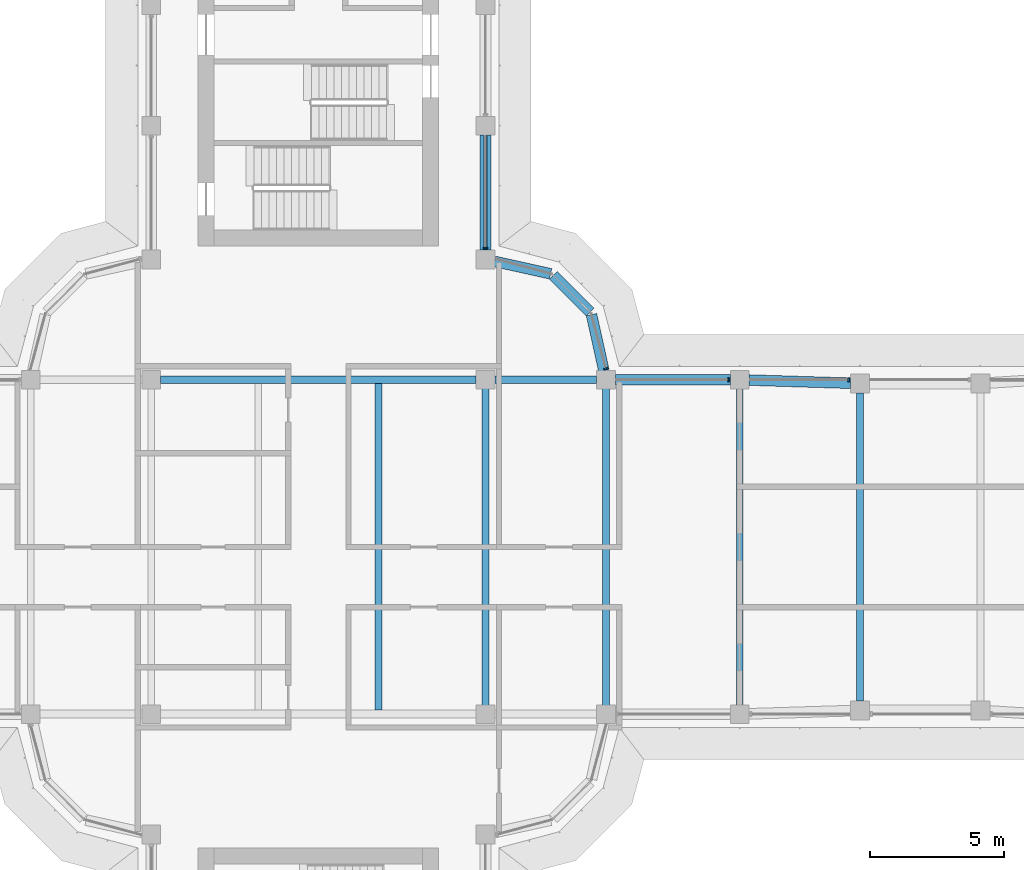
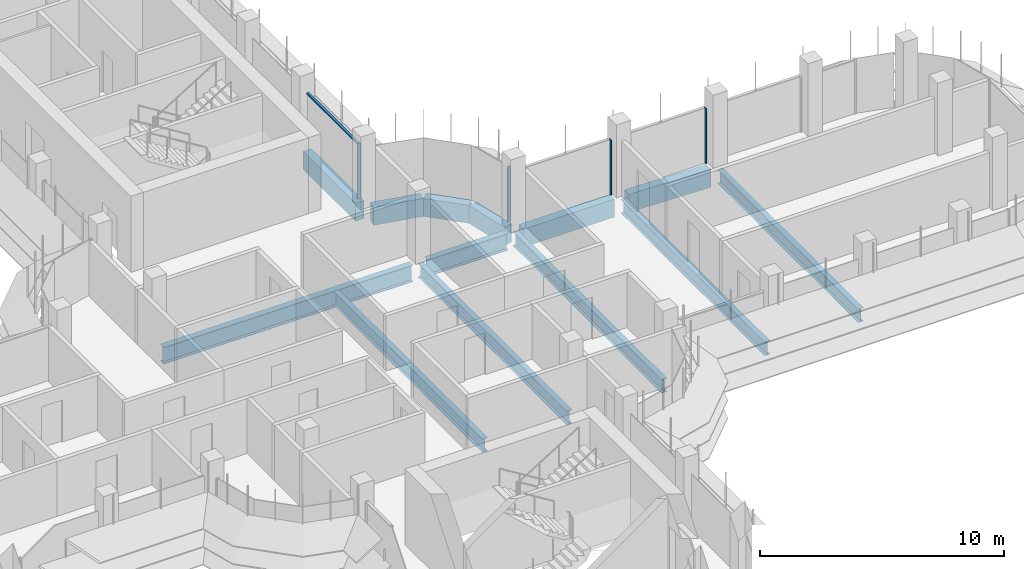
# One storey, part 8 of 19: 13 beams, 5 members, 3 elements without a shape of their own.
"""IFC4 building model written with IfcOpenShell, lengths in metres."""

from ifc_helpers import new_model, si_unit, direction, frame, origin, origin_2d, place, context, subcontext, project, spatial, polyline, rectangle, i_section, outline, extrude, source, transform, mapped, material, material_profile, profile_set, type_object, element, aggregate, save


model = new_model("IFC4")

# Units and contexts
model_context = context("Model", 3, precision=1e-05, world=origin(), true_north=direction((0.0, 1.0)))
body_context = subcontext(model_context, "Body", "Model", "MODEL_VIEW")
ifc_project = project(units=[si_unit("LENGTHUNIT", "METRE"), si_unit("AREAUNIT", "SQUARE_METRE"), si_unit("VOLUMEUNIT", "CUBIC_METRE"), si_unit("PLANEANGLEUNIT", "RADIAN"), si_unit("MASSUNIT", "GRAM", prefix="KILO")], contexts=[model_context])

# Site, building, storey
site_placement = place(None, origin())
site = spatial("IfcSite", under=ifc_project, at=site_placement, CompositionType="ELEMENT")
building_placement = place(site_placement, origin())
building = spatial("IfcBuilding", under=site, at=building_placement, Name="Zarbagh Exchange Tower", CompositionType="ELEMENT")
storey_placement = place(building_placement, frame((0.0, 0.0, 199.199951171875)))
storey = spatial("IfcBuildingStorey", under=building, at=storey_placement, Name="L48", CompositionType="ELEMENT", Elevation=199.199951171875)

# Beams
ifc_material_1 = material(Name="Steel ASTM A992 Gr 50", Category="steel")
ifc_material_profile_1 = material_profile(ifc_material_1, i_section(OverallWidth=0.25390625, OverallDepth=0.67822265625, WebThickness=0.01171875, FlangeThickness=0.016357421875, at=origin_2d()), Name="W27X84")
ifc_profile_set_1 = profile_set([ifc_material_profile_1], Name="Steel ASTM A992 Gr 50")
beam_type_1 = type_object("IfcBeamType", Name="Floor beam W27X84", PredefinedType="BEAM", material=ifc_profile_set_1)
for number, where, z_axis, x_axis, name in (
    (1, (2.25, -6.10400390625, -0.489013671875), (0.0, 1.0, 0.0), (-1.0, 0.0, 0.0), "Steel floor beam"),
    (2, (6.25, -6.10400390625, -0.489013671875), (0.0, 1.0, 0.0), (-1.0, 0.0, 0.0), "Steel floor beam"),
    (3, (10.75, -6.10400390625, -0.489013671875), (0.0, 1.0, 0.0), (-1.0, 0.0, 0.0), "Steel floor beam"),
):
    element("IfcBeam", number, at=place(storey_placement, frame(where, z_axis=z_axis, x_axis=x_axis)), inside=storey, type_object=beam_type_1, Name=name, PredefinedType="BEAM", context=body_context, shape_type="SweptSolid", body=[
        extrude(i_section(OverallWidth=0.25390625, OverallDepth=0.67822265625, WebThickness=0.01171875, FlangeThickness=0.016357421875, at=origin_2d()), origin(), (0.0, 0.0, 1.0), 12.2080078125),
    ])
beam_1_placement = place(storey_placement, frame((15.75, -5.89990234375, -0.489013671875), z_axis=(0.0, 1.0, 0.0), x_axis=(-1.0, 0.0, 0.0)))
element("IfcBeam", 4, at=beam_1_placement, inside=storey, type_object=beam_type_1, Name="Steel floor beam", PredefinedType="BEAM", context=body_context, shape_type="SweptSolid", body=[
    extrude(i_section(OverallWidth=0.25390625, OverallDepth=0.67822265625, WebThickness=0.01171875, FlangeThickness=0.016357421875, at=origin_2d()), origin(), (0.0, 0.0, 1.0), 11.7998046875),
])
beam_2_placement = place(storey_placement, frame((20.25, -5.760009765625, -0.489013671875), z_axis=(0.0, 1.0, 0.0), x_axis=(-1.0, 0.0, 0.0)))
element("IfcBeam", 5, at=beam_2_placement, inside=storey, type_object=beam_type_1, Name="Steel floor beam", PredefinedType="BEAM", context=body_context, shape_type="SweptSolid", body=[
    extrude(i_section(OverallWidth=0.25390625, OverallDepth=0.67822265625, WebThickness=0.01171875, FlangeThickness=0.016357421875, at=origin_2d()), origin(), (0.0, 0.0, 1.0), 11.52001953125),
])
ifc_material_profile_2 = material_profile(ifc_material_1, i_section(OverallWidth=0.2919921875, OverallDepth=0.835693359375, WebThickness=0.013916015625, FlangeThickness=0.018798828125, at=origin_2d()), Name="W33X118")
ifc_profile_set_2 = profile_set([ifc_material_profile_2], Name="Steel ASTM A992 Gr 50")
beam_type_2 = type_object("IfcBeamType", Name="Floor girder W33X118", PredefinedType="BEAM", material=ifc_profile_set_2)
beam_3_placement = place(storey_placement, frame((-5.89990234375, 6.25, -0.56787109375), z_axis=(1.0, 0.0, 0.0), x_axis=(0.0, 1.0, 0.0)))
element("IfcBeam", 6, at=beam_3_placement, inside=storey, type_object=beam_type_2, Name="Steel girder", PredefinedType="BEAM", context=body_context, shape_type="SweptSolid", body=[
    extrude(i_section(OverallWidth=0.2919921875, OverallDepth=0.835693359375, WebThickness=0.013916015625, FlangeThickness=0.018798828125, at=origin_2d()), origin(), (0.0, 0.0, 1.0), 11.7998046875),
])
beam_4_placement = place(storey_placement, frame((6.60009765625, 6.25, -0.56787109375), z_axis=(1.0, 0.0, 0.0), x_axis=(0.0, 1.0, 0.0)))
element("IfcBeam", 7, at=beam_4_placement, inside=storey, type_object=beam_type_2, Name="Steel girder", PredefinedType="BEAM", context=body_context, shape_type="SweptSolid", body=[
    extrude(i_section(OverallWidth=0.2919921875, OverallDepth=0.835693359375, WebThickness=0.013916015625, FlangeThickness=0.018798828125, at=origin_2d()), origin(), (0.0, 0.0, 1.0), 3.7998046875),
])
ifc_material_2 = material(Name="Concrete C50/60", Category="concrete")
ifc_material_profile_3 = material_profile(ifc_material_2, rectangle(XDim=0.39990234375, YDim=0.89990234375, at=origin_2d()), Name="RC spandrel beam 400 x 900 C50/60")
ifc_profile_set_3 = profile_set([ifc_material_profile_3], Name="Concrete C50/60")
beam_type_3 = type_object("IfcBeamType", Name="RC spandrel beam 400 x 900 C50/60", PredefinedType="SPANDREL", material=ifc_profile_set_3)
beam_5_placement = place(storey_placement, frame((6.25, 15.39990234375, -0.599853515625), z_axis=(0.0, -1.0, 0.0), x_axis=(1.0, 0.0, 0.0)))
element("IfcBeam", 8, at=beam_5_placement, inside=storey, type_object=beam_type_3, Name="RC spandrel beam", PredefinedType="SPANDREL", context=body_context, shape_type="SweptSolid", body=[
    extrude(rectangle(XDim=0.39990234375, YDim=0.89990234375, at=origin_2d()), origin(), (0.0, 0.0, 1.0), 4.2998046875),
])
beam_6_placement = place(storey_placement, frame((6.591796875, 10.67431640625, -0.599853515625), z_axis=(0.97639036545, -0.216013551096, 0.0), x_axis=(0.216013551096, 0.97639036545, 0.0)))
element("IfcBeam", 9, at=beam_6_placement, inside=storey, type_object=beam_type_3, Name="RC spandrel beam", PredefinedType="SPANDREL", context=body_context, shape_type="SweptSolid", body=[
    extrude(rectangle(XDim=0.39990234375, YDim=0.89990234375, at=origin_2d()), origin(), (0.0, 0.0, 1.0), 2.142822265625),
])
beam_7_placement = place(storey_placement, frame((8.782470703125, 10.15771484375, -0.599853515625), z_axis=(0.707106781187, -0.707106781187, 0.0), x_axis=(0.707106781187, 0.707106781187, 0.0)))
element("IfcBeam", 10, at=beam_7_placement, inside=storey, type_object=beam_type_3, Name="RC spandrel beam", PredefinedType="SPANDREL", context=body_context, shape_type="SweptSolid", body=[
    extrude(rectangle(XDim=0.39990234375, YDim=0.89990234375, at=origin_2d()), origin(), (0.0, 0.0, 1.0), 1.94482421875),
])
beam_8_placement = place(storey_placement, frame((10.21142578125, 8.68408203125, -0.599853515625), z_axis=(0.216013551096, -0.97639036545, 0.0), x_axis=(0.97639036545, 0.216013551096, 0.0)))
element("IfcBeam", 11, at=beam_8_placement, inside=storey, type_object=beam_type_3, Name="RC spandrel beam", PredefinedType="SPANDREL", context=body_context, shape_type="SweptSolid", body=[
    extrude(rectangle(XDim=0.39990234375, YDim=0.89990234375, at=origin_2d()), origin(), (0.0, 0.0, 1.0), 2.142822265625),
])
beam_9_placement = place(storey_placement, frame((11.10009765625, 6.25, -0.599853515625), z_axis=(1.0, 0.0, 0.0), x_axis=(0.0, 1.0, 0.0)))
element("IfcBeam", 12, at=beam_9_placement, inside=storey, type_object=beam_type_3, Name="RC spandrel beam", PredefinedType="SPANDREL", context=body_context, shape_type="SweptSolid", body=[
    extrude(rectangle(XDim=0.39990234375, YDim=0.89990234375, at=origin_2d()), origin(), (0.0, 0.0, 1.0), 4.2998046875),
])
beam_10_placement = place(storey_placement, frame((16.099853515625, 6.239013671875, -0.599853515625), z_axis=(0.999516950199, -0.031078389046, 0.0), x_axis=(0.031078389046, 0.999516950199, 0.0)))
element("IfcBeam", 13, at=beam_10_placement, inside=storey, type_object=beam_type_3, Name="RC spandrel beam", PredefinedType="SPANDREL", context=body_context, shape_type="SweptSolid", body=[
    extrude(rectangle(XDim=0.39990234375, YDim=0.89990234375, at=origin_2d()), origin(), (0.0, 0.0, 1.0), 3.80224609375),
])

# Curtain wall, members
ifc_material_3 = material(Name="Anodised aluminium frame and glazing", Category="aluminium")
curtain_wall_type = type_object("IfcCurtainWallType", Name="CWB Ribbon glazing, upper zones", PredefinedType="NOTDEFINED", material=ifc_material_3)
curtain_wall_1_placement = place(storey_placement, origin())
curtain_wall_1 = element("IfcCurtainWall", 14, at=curtain_wall_1_placement, inside=storey, type_object=curtain_wall_type, Name="CWB16 curtain wall", PredefinedType="NOTDEFINED")
ifc_material_4 = material(Name="Anodised aluminium frame", Category="aluminium")
member_type_1 = type_object("IfcMemberType", Name="MUB Mullion, anodised aluminium frame", PredefinedType="MULLION", material=ifc_material_4)
shared_shape_1 = source(origin(), body_context, "Body", "SweptSolid", [
    extrude(outline(polyline([(0.0, -0.080078125), (0.06005859375, -0.080078125), (0.06005859375, 0.080078125), (0.0, 0.080078125), (0.0, -0.080078125)])), origin(), (0.0, 0.0, 1.0), 2.75),
])
placement = place(storey_placement, origin())
member_1 = element("IfcMember", 15, at=placement, type_object=member_type_1, Name="CWB16 mullion 3.1", PredefinedType="MULLION", context=body_context, shape_type="MappedRepresentation", body=[
    mapped(shared_shape_1, transform((19.85986328125, 6.25, 0.0), x_axis=(-1.0, 0.0, 0.0), y_axis=(0.0, -1.0, 0.0), z_axis=(0.0, 0.0, 1.0))),
])
member_2 = element("IfcMember", 16, at=placement, type_object=member_type_1, Name="CWB16 mullion 4.1", PredefinedType="MULLION", context=body_context, shape_type="MappedRepresentation", body=[
    mapped(shared_shape_1, transform((15.35986328125, 6.25, 0.0), x_axis=(-1.0, 0.0, 0.0), y_axis=(0.0, -1.0, 0.0), z_axis=(0.0, 0.0, 1.0))),
])
aggregate(curtain_wall_1, [member_1, member_2])

# Curtain wall, member
curtain_wall_2_placement = place(storey_placement, origin())
curtain_wall_2 = element("IfcCurtainWall", 17, at=curtain_wall_2_placement, inside=storey, type_object=curtain_wall_type, Name="CWB17 curtain wall", PredefinedType="NOTDEFINED")
member_3 = element("IfcMember", 18, at=placement, type_object=member_type_1, Name="CWB17 mullion 1.1", PredefinedType="MULLION", context=body_context, shape_type="MappedRepresentation", body=[
    mapped(shared_shape_1, transform((10.76171875, 6.64013671875, 0.0), x_axis=(-0.258824779902, 0.965924289636, 0.0), y_axis=(-0.965924289636, -0.258824779902, 0.0), z_axis=(0.0, 0.0, 1.0))),
])
aggregate(curtain_wall_2, [member_3])

# Curtain wall, members
curtain_wall_3_placement = place(storey_placement, origin())
curtain_wall_3 = element("IfcCurtainWall", 19, at=curtain_wall_3_placement, inside=storey, type_object=curtain_wall_type, Name="CWB20 curtain wall", PredefinedType="NOTDEFINED")
member_4 = element("IfcMember", 20, at=placement, type_object=member_type_1, Name="CWB20 mullion 1.1", PredefinedType="MULLION", context=body_context, shape_type="MappedRepresentation", body=[
    mapped(shared_shape_1, transform((6.25, 11.14013671875, 0.0), x_axis=(0.0, 1.0, 0.0), y_axis=(-1.0, 0.0, 0.0), z_axis=(0.0, 0.0, 1.0))),
])
member_type_2 = type_object("IfcMemberType", Name="TRB Transom, anodised aluminium frame", PredefinedType="USERDEFINED", material=ifc_material_4)
shared_shape_2 = source(origin(), body_context, "Body", "SweptSolid", [
    extrude(outline(polyline([(-0.06005859375, -0.06005859375), (0.0, -0.06005859375), (0.0, 0.06005859375), (-0.06005859375, 0.06005859375), (-0.06005859375, -0.06005859375)])), origin(), (0.0, 0.0, 1.0), 4.159912109375),
])
member_5 = element("IfcMember", 21, at=placement, type_object=member_type_2, Name="CWB20 transom 1.1", ObjectType="TRANSOM", PredefinedType="USERDEFINED", context=body_context, shape_type="MappedRepresentation", body=[
    mapped(shared_shape_2, transform((6.25, 11.199951171875, 2.75), x_axis=(0.0, 0.0, 1.0), y_axis=(1.0, 0.0, 0.0), z_axis=(0.0, 1.0, 0.0))),
])
aggregate(curtain_wall_3, [member_4, member_5])

save(model, "model.ifc")
